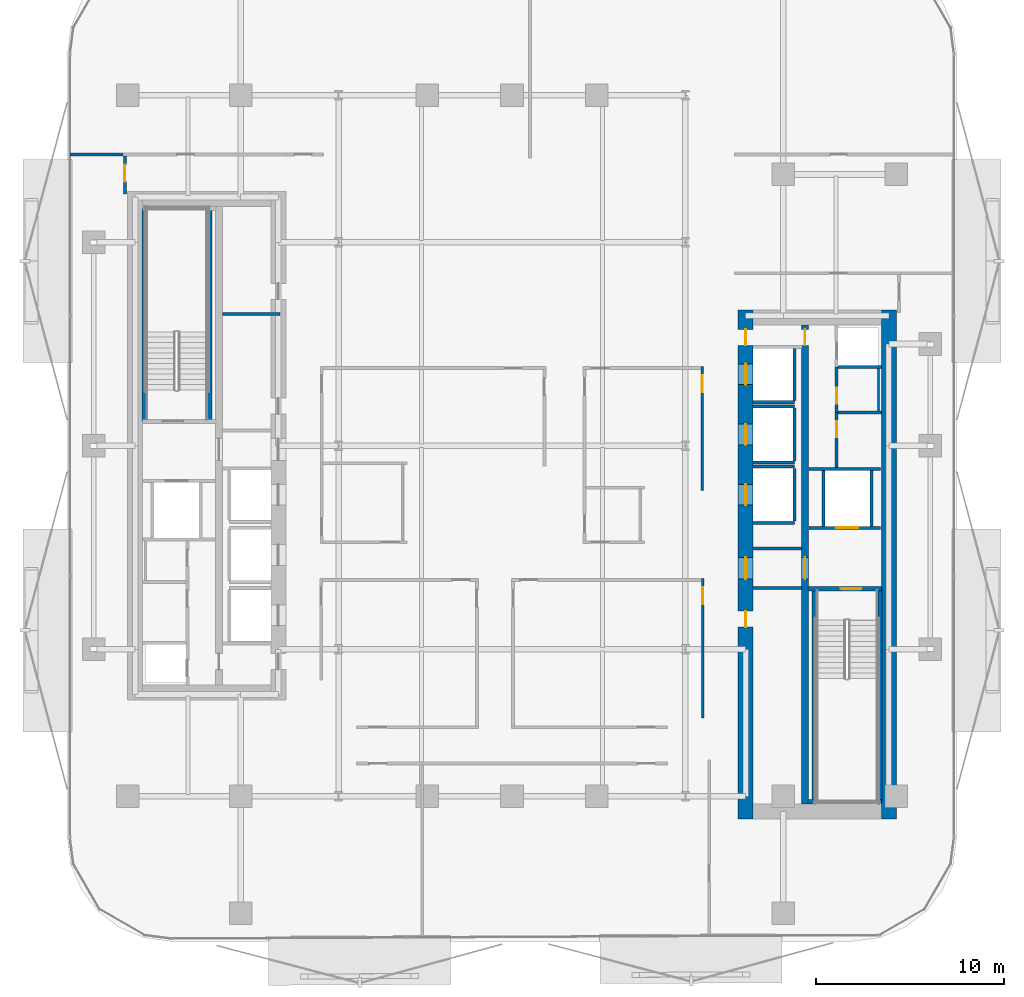
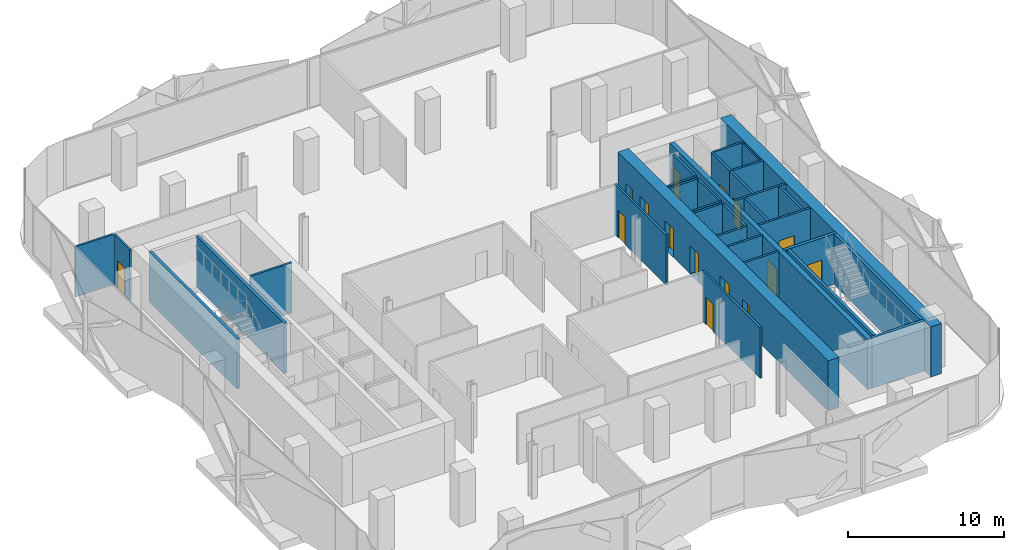
# One storey, part 5 of 15: 33 walls, 15 doors, 15 openings.
"""IFC4 building model written with IfcOpenShell, lengths in metres."""

from ifc_helpers import new_model, si_unit, direction, frame, frame_2d, origin, place, context, subcontext, project, spatial, rectangle, extrude, material, layer, layer_set, type_object, element, fill, save


model = new_model("IFC4")

# Units and contexts
model_context = context("Model", 3, precision=1e-05, world=origin(), true_north=direction((0.0, 1.0)))
body_context = subcontext(model_context, "Body", "Model", "MODEL_VIEW")
ifc_project = project(units=[si_unit("LENGTHUNIT", "METRE"), si_unit("AREAUNIT", "SQUARE_METRE"), si_unit("VOLUMEUNIT", "CUBIC_METRE"), si_unit("PLANEANGLEUNIT", "RADIAN"), si_unit("MASSUNIT", "GRAM", prefix="KILO")], contexts=[model_context])

# Site, building, storey
site_placement = place(None, origin())
site = spatial("IfcSite", under=ifc_project, at=site_placement, CompositionType="ELEMENT")
building_placement = place(site_placement, origin())
building = spatial("IfcBuilding", under=site, at=building_placement, Name="Khairoan Windgate Tower", CompositionType="ELEMENT")
storey_placement = place(building_placement, frame((0.0, 0.0, 110.0)))
storey = spatial("IfcBuildingStorey", under=building, at=storey_placement, Name="L25", CompositionType="ELEMENT", Elevation=110.0)

# Walls
ifc_material_1 = material(Name="Moisture-Resistant Gypsum Partition", Category="gypsum")
ifc_layer_1 = layer(ifc_material_1, 0.10009765625, Name="Moisture-Resistant Gypsum Partition")
ifc_layer_set_1 = layer_set([ifc_layer_1], Name="Moisture-Resistant Gypsum Partition")
wall_type_1 = type_object("IfcWallType", Name="Bathroom Wet-Area Partition Wall", PredefinedType="PARTITIONING", material=ifc_layer_set_1)
wall_1_placement = place(storey_placement, frame((19.449951171875, 4.090087890625, 0.0), z_axis=(0.0, 0.0, 1.0), x_axis=(0.0, -1.0, 0.0)))
element("IfcWall", 1, at=wall_1_placement, inside=storey, type_object=wall_type_1, Name="L25 Wet Room Side Wall 046", PredefinedType="PARTITIONING", context=body_context, shape_type="SweptSolid", body=[
    extrude(rectangle(XDim=2.239990234375, YDim=0.10009765625, at=frame_2d((1.1201171875, 0.0))), origin(), (0.0, 0.0, 1.0), 3.93994140625),
])
ifc_material_2 = material(Name="Concrete C40/50", Category="concrete")
ifc_layer_2 = layer(ifc_material_2, 0.159912109375, Name="Concrete C40/50")
ifc_layer_set_2 = layer_set([ifc_layer_2], Name="Concrete C40/50")
wall_type_2 = type_object("IfcWallType", Name="Core and Hoistway Enclosure Wall", PredefinedType="STANDARD", material=ifc_layer_set_2)
wall_2_placement = place(storey_placement, frame((12.800048828125, 2.31005859375, 0.0), z_axis=(0.0, 0.0, 1.0), x_axis=(1.0, 0.0, 0.0)))
element("IfcWall", 2, at=wall_2_placement, inside=storey, type_object=wall_type_2, Name="L25 Lift PL7 Hoistway Divider S", PredefinedType="STANDARD", context=body_context, shape_type="SweptSolid", body=[
    extrude(rectangle(XDim=2.18994140625, YDim=0.159912109375, at=frame_2d((1.094970703125, 0.0))), origin(), (0.0, 0.0, 1.0), 3.93994140625),
])
wall_3_placement = place(storey_placement, frame((14.989990234375, 2.39990234375, 0.0), z_axis=(0.0, 0.0, 1.0), x_axis=(0.0, 1.0, 0.0)))
element("IfcWall", 3, at=wall_3_placement, inside=storey, type_object=wall_type_2, Name="L25 Lift PL7 Hoistway Back Wall", PredefinedType="STANDARD", context=body_context, shape_type="SweptSolid", body=[
    extrude(rectangle(XDim=2.800048828125, YDim=0.159912109375, at=frame_2d((1.39990234375, 0.0))), origin(), (0.0, 0.0, 1.0), 3.93994140625),
])
for number, where, z_axis, x_axis, name in (
    (4, (12.800048828125, -0.889892578125, 0.0), (0.0, 0.0, 1.0), (1.0, 0.0, 0.0), "L25 Lift PL8 Hoistway Divider S"),
    (5, (12.800048828125, 2.090087890625, 0.0), (0.0, 0.0, 1.0), (1.0, 0.0, 0.0), "L25 Lift PL8 Hoistway Divider N"),
):
    element("IfcWall", number, at=place(storey_placement, frame(where, z_axis=z_axis, x_axis=x_axis)), inside=storey, type_object=wall_type_2, Name=name, PredefinedType="STANDARD", context=body_context, shape_type="SweptSolid", body=[
        extrude(rectangle(XDim=2.18994140625, YDim=0.159912109375, at=frame_2d((1.094970703125, 0.0))), origin(), (0.0, 0.0, 1.0), 3.93994140625),
    ])
wall_4_placement = place(storey_placement, frame((14.989990234375, -0.800048828125, 0.0), z_axis=(0.0, 0.0, 1.0), x_axis=(0.0, 1.0, 0.0)))
element("IfcWall", 6, at=wall_4_placement, inside=storey, type_object=wall_type_2, Name="L25 Lift PL8 Hoistway Back Wall", PredefinedType="STANDARD", context=body_context, shape_type="SweptSolid", body=[
    extrude(rectangle(XDim=2.800048828125, YDim=0.159912109375, at=frame_2d((1.39990234375, 0.0))), origin(), (0.0, 0.0, 1.0), 3.93994140625),
])
for number, where, z_axis, x_axis, name in (
    (7, (12.800048828125, -4.090087890625, 0.0), (0.0, 0.0, 1.0), (1.0, 0.0, 0.0), "L25 Lift PL9 Hoistway Divider S"),
    (8, (12.800048828125, -1.110107421875, 0.0), (0.0, 0.0, 1.0), (1.0, 0.0, 0.0), "L25 Lift PL9 Hoistway Divider N"),
):
    element("IfcWall", number, at=place(storey_placement, frame(where, z_axis=z_axis, x_axis=x_axis)), inside=storey, type_object=wall_type_2, Name=name, PredefinedType="STANDARD", context=body_context, shape_type="SweptSolid", body=[
        extrude(rectangle(XDim=2.18994140625, YDim=0.159912109375, at=frame_2d((1.094970703125, 0.0))), origin(), (0.0, 0.0, 1.0), 3.93994140625),
    ])
wall_5_placement = place(storey_placement, frame((14.989990234375, -4.0, 0.0), z_axis=(0.0, 0.0, 1.0), x_axis=(0.0, 1.0, 0.0)))
element("IfcWall", 9, at=wall_5_placement, inside=storey, type_object=wall_type_2, Name="L25 Lift PL9 Hoistway Back Wall", PredefinedType="STANDARD", context=body_context, shape_type="SweptSolid", body=[
    extrude(rectangle(XDim=2.800048828125, YDim=0.159912109375, at=frame_2d((1.39990234375, 0.0))), origin(), (0.0, 0.0, 1.0), 3.93994140625),
])

# Wall, opening, door
wall_6_placement = place(storey_placement, frame((15.75, -4.360107421875, 0.0), z_axis=(0.0, 0.0, 1.0), x_axis=(1.0, 0.0, 0.0)))
wall_6 = element("IfcWall", 10, at=wall_6_placement, inside=storey, type_object=wall_type_2, Name="L25 Core Shaft Wall SW-FL1-L25", PredefinedType="STANDARD", context=body_context, shape_type="SweptSolid", body=[
    extrude(rectangle(XDim=3.800048828125, YDim=0.159912109375, at=frame_2d((1.89990234375, 0.0))), origin(), (0.0, 0.0, 1.0), 3.93994140625),
])
opening_1_placement = place(wall_6_placement, frame((1.469970703125, 0.0, 0.0)))
opening_1 = element("IfcOpeningElement", 11, at=opening_1_placement, cuts=wall_6, Name="Opening LD-FL", PredefinedType="OPENING", context=body_context, shape_type="SweptSolid", body=[
    extrude(rectangle(XDim=1.14990234375, YDim=2.199951171875, at=frame_2d((0.574951171875, 1.10009765625))), frame((0.0, 0.08984375, 0.0), z_axis=(0.0, -1.0, 0.0), x_axis=(1.0, 0.0, 0.0)), (0.0, 0.0, 1.0), 0.179931640625),
])
ifc_material_3 = material(Name="Steel S355", Category="steel")
door_type_1 = type_object("IfcDoorType", Name="Firefighting Lift Sliding Landing Door LD-FL 1150x2200", OperationType="DOUBLE_DOOR_SLIDING", PredefinedType="DOOR", material=ifc_material_3)
door_1_placement = place(opening_1_placement, origin())
door_1 = element("IfcDoor", 12, at=door_1_placement, inside=storey, type_object=door_type_1, Name="L25 Firefighting Lift FL1 Landing Door", OperationType="DOUBLE_DOOR_SLIDING", OverallHeight=2.199951171875, OverallWidth=1.14990234375, PredefinedType="DOOR", context=body_context, shape_type="SweptSolid", body=[
    extrude(rectangle(XDim=1.14990234375, YDim=2.199951171875, at=frame_2d((0.574951171875, 1.10009765625))), frame((0.0, 0.02490234375, 0.0), z_axis=(0.0, -1.0, 0.0), x_axis=(1.0, 0.0, 0.0)), (0.0, 0.0, 1.0), 0.050048828125),
])
fill(opening_1, door_1)

# Walls
wall_7_placement = place(storey_placement, frame((15.75, -1.219970703125, 0.0), z_axis=(0.0, 0.0, 1.0), x_axis=(1.0, 0.0, 0.0)))
element("IfcWall", 13, at=wall_7_placement, inside=storey, type_object=wall_type_2, Name="L25 Core Shaft Wall SW-FL1T-L25", PredefinedType="STANDARD", context=body_context, shape_type="SweptSolid", body=[
    extrude(rectangle(XDim=3.800048828125, YDim=0.159912109375, at=frame_2d((1.89990234375, 0.0))), origin(), (0.0, 0.0, 1.0), 3.93994140625),
])
for number, where, z_axis, x_axis, name in (
    (14, (16.52001953125, -4.280029296875, 0.0), (0.0, 0.0, 1.0), (0.0, 1.0, 0.0), "L25 Core Shaft Wall SW-FL1W-L25"),
    (15, (19.080078125, -4.280029296875, 0.0), (0.0, 0.0, 1.0), (0.0, 1.0, 0.0), "L25 Core Shaft Wall SW-FL1E-L25"),
):
    element("IfcWall", number, at=place(storey_placement, frame(where, z_axis=z_axis, x_axis=x_axis)), inside=storey, type_object=wall_type_2, Name=name, PredefinedType="STANDARD", context=body_context, shape_type="SweptSolid", body=[
        extrude(rectangle(XDim=2.97998046875, YDim=0.159912109375, at=frame_2d((1.489990234375, 0.0))), origin(), (0.0, 0.0, 1.0), 3.93994140625),
    ])
for number, where, z_axis, x_axis, name in (
    (16, (12.800048828125, -5.449951171875, 0.0), (0.0, 0.0, 1.0), (1.0, 0.0, 0.0), "L25 Core Shaft Wall SW-EV1-L25"),
    (17, (12.800048828125, -7.5400390625, 0.0), (0.0, 0.0, 1.0), (1.0, 0.0, 0.0), "L25 Core Shaft Wall SW-EV2-L25"),
):
    element("IfcWall", number, at=place(storey_placement, frame(where, z_axis=z_axis, x_axis=x_axis)), inside=storey, type_object=wall_type_2, Name=name, PredefinedType="STANDARD", context=body_context, shape_type="SweptSolid", body=[
        extrude(rectangle(XDim=2.599853515625, YDim=0.159912109375, at=frame_2d((1.2998046875, 0.0))), origin(), (0.0, 0.0, 1.0), 3.93994140625),
    ])
ifc_material_4 = material(Name="Acoustic Fire-Rated Gypsum Partition", Category="gypsum")
ifc_layer_3 = layer(ifc_material_4, 0.139892578125, Name="Acoustic Fire-Rated Gypsum Partition")
ifc_layer_set_3 = layer_set([ifc_layer_3], Name="Acoustic Fire-Rated Gypsum Partition")
wall_type_3 = type_object("IfcWallType", Name="Inter-Tenancy Compartment Wall", PredefinedType="PARTITIONING", material=ifc_layer_set_3)
wall_8_placement = place(storey_placement, frame((-23.455078125, 15.4599609375, 0.0), z_axis=(0.0, 0.0, 1.0), x_axis=(1.0, 0.0, 0.0)))
element("IfcWall", 18, at=wall_8_placement, inside=storey, type_object=wall_type_3, Name="L25 Interior Partition 037", PredefinedType="PARTITIONING", context=body_context, shape_type="SweptSolid", body=[
    extrude(rectangle(XDim=2.815185546875, YDim=0.139892578125, at=frame_2d((1.40771484375, 0.0))), origin(), (0.0, 0.0, 1.0), 3.93994140625),
])
ifc_material_5 = material(Name="Concrete C40/50", Category="concrete")
ifc_layer_4 = layer(ifc_material_5, 0.159912109375, Name="Concrete C40/50")
ifc_layer_set_4 = layer_set([ifc_layer_4], Name="Concrete C40/50")
wall_type_4 = type_object("IfcWallType", Name="Plant and Refuge Compartment Wall", PredefinedType="PARTITIONING", material=ifc_layer_set_4)
wall_9_placement = place(storey_placement, frame((-15.375, 7.0, 0.0), z_axis=(0.0, 0.0, 1.0), x_axis=(1.0, 0.0, 0.0)))
element("IfcWall", 19, at=wall_9_placement, inside=storey, type_object=wall_type_4, Name="L25 Interior Partition 006", PredefinedType="PARTITIONING", context=body_context, shape_type="SweptSolid", body=[
    extrude(rectangle(XDim=3.06494140625, YDim=0.159912109375, at=frame_2d((1.532470703125, 0.0))), origin(), (0.0, 0.0, 1.0), 3.93994140625),
])

# Wall, opening, door
wall_10_placement = place(storey_placement, frame((17.22998046875, 1.77001953125, 0.0), z_axis=(0.0, 0.0, 1.0), x_axis=(0.0, 1.0, 0.0)))
wall_10 = element("IfcWall", 20, at=wall_10_placement, inside=storey, type_object=wall_type_4, Name="L25 Interior Partition 008", PredefinedType="PARTITIONING", context=body_context, shape_type="SweptSolid", body=[
    extrude(rectangle(XDim=2.39990234375, YDim=0.159912109375, at=frame_2d((1.199951171875, 0.0))), origin(), (0.0, 0.0, 1.0), 3.93994140625),
])
opening_2_placement = place(wall_10_placement, frame((0.4599609375, 0.0, 0.0)))
opening_2 = element("IfcOpeningElement", 21, at=opening_2_placement, cuts=wall_10, Name="Opening FD-SRV", PredefinedType="OPENING", context=body_context, shape_type="SweptSolid", body=[
    extrude(rectangle(XDim=0.85009765625, YDim=2.10009765625, at=frame_2d((0.425048828125, 1.050048828125))), frame((0.0, 0.08984375, 0.0), z_axis=(0.0, -1.0, 0.0), x_axis=(1.0, 0.0, 0.0)), (0.0, 0.0, 1.0), 0.179931640625),
])
ifc_material_6 = material(Name="Steel S355", Category="steel")
door_type_2 = type_object("IfcDoorType", Name="Core Service and Riser Fire Door FD-SRV 850x2100", OperationType="NOTDEFINED", PredefinedType="DOOR", material=ifc_material_6)
door_2_placement = place(opening_2_placement, origin())
door_2 = element("IfcDoor", 22, at=door_2_placement, inside=storey, type_object=door_type_2, Name="L25 L25-18-L25-20 Door", OperationType="SINGLE_SWING_RIGHT", OverallHeight=2.10009765625, OverallWidth=0.85009765625, PredefinedType="DOOR", context=body_context, shape_type="SweptSolid", body=[
    extrude(rectangle(XDim=0.85009765625, YDim=2.10009765625, at=frame_2d((0.425048828125, 1.050048828125))), frame((0.0, 0.02490234375, 0.0), z_axis=(0.0, -1.0, 0.0), x_axis=(1.0, 0.0, 0.0)), (0.0, 0.0, 1.0), 0.050048828125),
])
fill(opening_2, door_2)

wall_11_placement = place(storey_placement, frame((17.22998046875, -1.139892578125, 0.0), z_axis=(0.0, 0.0, 1.0), x_axis=(0.0, 1.0, 0.0)))
wall_11 = element("IfcWall", 23, at=wall_11_placement, inside=storey, type_object=wall_type_4, Name="L25 Interior Partition 009", PredefinedType="PARTITIONING", context=body_context, shape_type="SweptSolid", body=[
    extrude(rectangle(XDim=2.909912109375, YDim=0.159912109375, at=frame_2d((1.455078125, 0.0))), origin(), (0.0, 0.0, 1.0), 3.93994140625),
])
opening_3_placement = place(wall_11_placement, frame((1.60009765625, 0.0, 0.0)))
opening_3 = element("IfcOpeningElement", 24, at=opening_3_placement, cuts=wall_11, Name="Opening FD-SRV", PredefinedType="OPENING", context=body_context, shape_type="SweptSolid", body=[
    extrude(rectangle(XDim=0.85009765625, YDim=2.10009765625, at=frame_2d((0.425048828125, 1.050048828125))), frame((0.0, 0.08984375, 0.0), z_axis=(0.0, -1.0, 0.0), x_axis=(1.0, 0.0, 0.0)), (0.0, 0.0, 1.0), 0.179931640625),
])
door_3_placement = place(opening_3_placement, origin())
door_3 = element("IfcDoor", 25, at=door_3_placement, inside=storey, type_object=door_type_2, Name="L25 L25-18-L25-21 Door", OperationType="SINGLE_SWING_LEFT", OverallHeight=2.10009765625, OverallWidth=0.85009765625, PredefinedType="DOOR", context=body_context, shape_type="SweptSolid", body=[
    extrude(rectangle(XDim=0.85009765625, YDim=2.10009765625, at=frame_2d((0.425048828125, 1.050048828125))), frame((0.0, 0.02490234375, 0.0), z_axis=(0.0, -1.0, 0.0), x_axis=(1.0, 0.0, 0.0)), (0.0, 0.0, 1.0), 0.050048828125),
])
fill(opening_3, door_3)

# Walls
for number, where, z_axis, x_axis, name in (
    (26, (17.31005859375, 4.169921875, 0.0), (0.0, 0.0, 1.0), (1.0, 0.0, 0.0), "L25 Interior Partition 010"),
    (27, (17.31005859375, 1.77001953125, 0.0), (0.0, 0.0, 1.0), (1.0, 0.0, 0.0), "L25 Interior Partition 011"),
):
    element("IfcWall", number, at=place(storey_placement, frame(where, z_axis=z_axis, x_axis=x_axis)), inside=storey, type_object=wall_type_4, Name=name, PredefinedType="PARTITIONING", context=body_context, shape_type="SweptSolid", body=[
        extrude(rectangle(XDim=2.2900390625, YDim=0.159912109375, at=frame_2d((1.14501953125, 0.0))), origin(), (0.0, 0.0, 1.0), 3.93994140625),
    ])

# Wall, opening, door
ifc_material_7 = material(Name="Acoustic Fire-Rated Gypsum Partition", Category="gypsum")
ifc_layer_5 = layer(ifc_material_7, 0.14990234375, Name="Acoustic Fire-Rated Gypsum Partition")
ifc_layer_set_5 = layer_set([ifc_layer_5], Name="Acoustic Fire-Rated Gypsum Partition")
wall_type_5 = type_object("IfcWallType", Name="Rated Corridor Partition Wall", PredefinedType="PARTITIONING", material=ifc_layer_set_5)
wall_12_placement = place(storey_placement, frame((10.10009765625, -2.3798828125, 0.0), z_axis=(0.0, 0.0, 1.0), x_axis=(0.0, 1.0, 0.0)))
wall_12 = element("IfcWall", 28, at=wall_12_placement, inside=storey, type_object=wall_type_5, Name="L25 Interior Partition 016", PredefinedType="PARTITIONING", context=body_context, shape_type="SweptSolid", body=[
    extrude(rectangle(XDim=6.574951171875, YDim=0.14990234375, at=frame_2d((3.28759765625, 0.0))), origin(), (0.0, 0.0, 1.0), 3.93994140625),
])
opening_4_placement = place(wall_12_placement, frame((5.215087890625, 0.0, 0.0)))
opening_4 = element("IfcOpeningElement", 29, at=opening_4_placement, cuts=wall_12, Name="Opening FD-ENT", PredefinedType="OPENING", context=body_context, shape_type="SweptSolid", body=[
    extrude(rectangle(XDim=0.89990234375, YDim=2.14990234375, at=frame_2d((0.449951171875, 1.074951171875))), frame((0.0, 0.0849609375, 0.0), z_axis=(0.0, -1.0, 0.0), x_axis=(1.0, 0.0, 0.0)), (0.0, 0.0, 1.0), 0.169921875),
])
ifc_material_8 = material(Name="Timber Fire-Rated Core", Category="wood")
door_type_3 = type_object("IfcDoorType", Name="Unit and Office Fire Entrance Door FD-ENT 900x2150", OperationType="NOTDEFINED", PredefinedType="DOOR", material=ifc_material_8)
door_4_placement = place(opening_4_placement, origin())
door_4 = element("IfcDoor", 30, at=door_4_placement, inside=storey, type_object=door_type_3, Name="L25 L25-29-L25-46 Door", OperationType="SINGLE_SWING_RIGHT", OverallHeight=2.14990234375, OverallWidth=0.89990234375, PredefinedType="DOOR", context=body_context, shape_type="SweptSolid", body=[
    extrude(rectangle(XDim=0.89990234375, YDim=2.14990234375, at=frame_2d((0.449951171875, 1.074951171875))), frame((0.0, 0.02490234375, 0.0), z_axis=(0.0, -1.0, 0.0), x_axis=(1.0, 0.0, 0.0)), (0.0, 0.0, 1.0), 0.050048828125),
])
fill(opening_4, door_4)

wall_13_placement = place(storey_placement, frame((10.125, -14.43994140625, 0.0), z_axis=(0.0, 0.0, 1.0), x_axis=(0.0, 1.0, 0.0)))
wall_13 = element("IfcWall", 31, at=wall_13_placement, inside=storey, type_object=wall_type_5, Name="L25 Interior Partition 017", PredefinedType="PARTITIONING", context=body_context, shape_type="SweptSolid", body=[
    extrude(rectangle(XDim=7.39990234375, YDim=0.14990234375, at=frame_2d((3.699951171875, 0.0))), origin(), (0.0, 0.0, 1.0), 3.93994140625),
])
opening_5_placement = place(wall_13_placement, frame((6.0400390625, 0.0, 0.0)))
opening_5 = element("IfcOpeningElement", 32, at=opening_5_placement, cuts=wall_13, Name="Opening FD-ENT", PredefinedType="OPENING", context=body_context, shape_type="SweptSolid", body=[
    extrude(rectangle(XDim=0.89990234375, YDim=2.14990234375, at=frame_2d((0.449951171875, 1.074951171875))), frame((0.0, 0.0849609375, 0.0), z_axis=(0.0, -1.0, 0.0), x_axis=(1.0, 0.0, 0.0)), (0.0, 0.0, 1.0), 0.169921875),
])
door_5_placement = place(opening_5_placement, origin())
door_5 = element("IfcDoor", 33, at=door_5_placement, inside=storey, type_object=door_type_3, Name="L25 L25-29-L25-50 Door", OperationType="SINGLE_SWING_LEFT", OverallHeight=2.14990234375, OverallWidth=0.89990234375, PredefinedType="DOOR", context=body_context, shape_type="SweptSolid", body=[
    extrude(rectangle(XDim=0.89990234375, YDim=2.14990234375, at=frame_2d((0.449951171875, 1.074951171875))), frame((0.0, 0.02490234375, 0.0), z_axis=(0.0, -1.0, 0.0), x_axis=(1.0, 0.0, 0.0)), (0.0, 0.0, 1.0), 0.050048828125),
])
fill(opening_5, door_5)

wall_14_placement = place(storey_placement, frame((-20.5400390625, 13.360107421875, 0.0), z_axis=(0.0, 0.0, 1.0), x_axis=(0.0, 1.0, 0.0)))
wall_14 = element("IfcWall", 34, at=wall_14_placement, inside=storey, type_object=wall_type_5, Name="L25 Interior Partition 027", PredefinedType="PARTITIONING", context=body_context, shape_type="SweptSolid", body=[
    extrude(rectangle(XDim=2.02490234375, YDim=0.14990234375, at=frame_2d((1.012451171875, 0.0))), origin(), (0.0, 0.0, 1.0), 3.93994140625),
])
opening_6_placement = place(wall_14_placement, frame((0.6650390625, 0.0, 0.0)))
opening_6 = element("IfcOpeningElement", 35, at=opening_6_placement, cuts=wall_14, Name="Opening FD-ENT", PredefinedType="OPENING", context=body_context, shape_type="SweptSolid", body=[
    extrude(rectangle(XDim=0.89990234375, YDim=2.14990234375, at=frame_2d((0.449951171875, 1.074951171875))), frame((0.0, 0.0849609375, 0.0), z_axis=(0.0, -1.0, 0.0), x_axis=(1.0, 0.0, 0.0)), (0.0, 0.0, 1.0), 0.169921875),
])
door_6_placement = place(opening_6_placement, origin())
door_6 = element("IfcDoor", 36, at=door_6_placement, inside=storey, type_object=door_type_3, Name="L25 L25-33-L25-37 Door", OperationType="SINGLE_SWING_LEFT", OverallHeight=2.14990234375, OverallWidth=0.89990234375, PredefinedType="DOOR", context=body_context, shape_type="SweptSolid", body=[
    extrude(rectangle(XDim=0.89990234375, YDim=2.14990234375, at=frame_2d((0.449951171875, 1.074951171875))), frame((0.0, 0.02490234375, 0.0), z_axis=(0.0, -1.0, 0.0), x_axis=(1.0, 0.0, 0.0)), (0.0, 0.0, 1.0), 0.050048828125),
])
fill(opening_6, door_6)

# Wall, openings, doors
ifc_material_9 = material(Name="Concrete C70/85", Category="concrete")
ifc_layer_6 = layer(ifc_material_9, 0.800048828125, Name="Concrete C70/85")
ifc_layer_set_6 = layer_set([ifc_layer_6], Name="Concrete C70/85")
wall_type_6 = type_object("IfcWallType", Name="Shear Wall CW-E1 800mm", PredefinedType="SHEAR", material=ifc_layer_set_6)
wall_15_placement = place(storey_placement, frame((12.39990234375, -19.800048828125, 0.0), z_axis=(0.0, 0.0, 1.0), x_axis=(0.0, 1.0, 0.0)))
wall_15 = element("IfcWall", 37, at=wall_15_placement, inside=storey, type_object=wall_type_6, Name="E Core West Shear Wall L25", PredefinedType="SHEAR", context=body_context, shape_type="SweptSolid", body=[
    extrude(rectangle(XDim=27.0, YDim=0.800048828125, at=frame_2d((13.5, 0.0))), origin(), (0.0, 0.0, 1.0), 3.93994140625),
])
opening_7_placement = place(wall_15_placement, frame((23.050048828125, 0.0, 0.0)))
opening_7 = element("IfcOpeningElement", 38, at=opening_7_placement, cuts=wall_15, Name="Opening LD-PL", PredefinedType="OPENING", context=body_context, shape_type="SweptSolid", body=[
    extrude(rectangle(XDim=1.10009765625, YDim=2.199951171875, at=frame_2d((0.550048828125, 1.10009765625))), frame((0.0, 0.409912109375, 0.0), z_axis=(0.0, -1.0, 0.0), x_axis=(1.0, 0.0, 0.0)), (0.0, 0.0, 1.0), 0.820068359375),
])
opening_8_placement = place(wall_15_placement, frame((19.85009765625, 0.0, 0.0)))
opening_8 = element("IfcOpeningElement", 39, at=opening_8_placement, cuts=wall_15, Name="Opening LD-PL", PredefinedType="OPENING", context=body_context, shape_type="SweptSolid", body=[
    extrude(rectangle(XDim=1.10009765625, YDim=2.199951171875, at=frame_2d((0.550048828125, 1.10009765625))), frame((0.0, 0.409912109375, 0.0), z_axis=(0.0, -1.0, 0.0), x_axis=(1.0, 0.0, 0.0)), (0.0, 0.0, 1.0), 0.820068359375),
])
opening_9_placement = place(wall_15_placement, frame((16.64990234375, 0.0, 0.0)))
opening_9 = element("IfcOpeningElement", 40, at=opening_9_placement, cuts=wall_15, Name="Opening LD-PL", PredefinedType="OPENING", context=body_context, shape_type="SweptSolid", body=[
    extrude(rectangle(XDim=1.10009765625, YDim=2.199951171875, at=frame_2d((0.550048828125, 1.10009765625))), frame((0.0, 0.409912109375, 0.0), z_axis=(0.0, -1.0, 0.0), x_axis=(1.0, 0.0, 0.0)), (0.0, 0.0, 1.0), 0.820068359375),
])
opening_10_placement = place(wall_15_placement, frame((10.175048828125, 0.0, 0.0)))
opening_10 = element("IfcOpeningElement", 41, at=opening_10_placement, cuts=wall_15, Name="Opening FD-SRV", PredefinedType="OPENING", context=body_context, shape_type="SweptSolid", body=[
    extrude(rectangle(XDim=0.85009765625, YDim=2.10009765625, at=frame_2d((0.425048828125, 1.050048828125))), frame((0.0, 0.409912109375, 0.0), z_axis=(0.0, -1.0, 0.0), x_axis=(1.0, 0.0, 0.0)), (0.0, 0.0, 1.0), 0.820068359375),
])
opening_11_placement = place(wall_15_placement, frame((12.72509765625, 0.0, 0.0)))
opening_11 = element("IfcOpeningElement", 42, at=opening_11_placement, cuts=wall_15, Name="Opening FD-FFL", PredefinedType="OPENING", context=body_context, shape_type="SweptSolid", body=[
    extrude(rectangle(XDim=1.14990234375, YDim=2.199951171875, at=frame_2d((0.574951171875, 1.10009765625))), frame((0.0, 0.409912109375, 0.0), z_axis=(0.0, -1.0, 0.0), x_axis=(1.0, 0.0, 0.0)), (0.0, 0.0, 1.0), 0.820068359375),
])
opening_12_placement = place(wall_15_placement, frame((25.125, 0.0, 0.0)))
opening_12 = element("IfcOpeningElement", 43, at=opening_12_placement, cuts=wall_15, Name="Opening FD-SRV", PredefinedType="OPENING", context=body_context, shape_type="SweptSolid", body=[
    extrude(rectangle(XDim=0.85009765625, YDim=2.10009765625, at=frame_2d((0.425048828125, 1.050048828125))), frame((0.0, 0.409912109375, 0.0), z_axis=(0.0, -1.0, 0.0), x_axis=(1.0, 0.0, 0.0)), (0.0, 0.0, 1.0), 0.820068359375),
])
door_7_placement = place(opening_10_placement, origin())
door_7 = element("IfcDoor", 44, at=door_7_placement, inside=storey, type_object=door_type_2, Name="L25 East Core Service Room Door 1", OperationType="SINGLE_SWING_LEFT", OverallHeight=2.10009765625, OverallWidth=0.85009765625, PredefinedType="DOOR", context=body_context, shape_type="SweptSolid", body=[
    extrude(rectangle(XDim=0.85009765625, YDim=2.10009765625, at=frame_2d((0.425048828125, 1.050048828125))), frame((0.0, 0.02490234375, 0.0), z_axis=(0.0, -1.0, 0.0), x_axis=(1.0, 0.0, 0.0)), (0.0, 0.0, 1.0), 0.050048828125),
])
fill(opening_10, door_7)
door_8_placement = place(opening_12_placement, origin())
door_8 = element("IfcDoor", 45, at=door_8_placement, inside=storey, type_object=door_type_2, Name="L25 East Core Service Vestibule Outer Door", OperationType="SINGLE_SWING_RIGHT", OverallHeight=2.10009765625, OverallWidth=0.85009765625, PredefinedType="DOOR", context=body_context, shape_type="SweptSolid", body=[
    extrude(rectangle(XDim=0.85009765625, YDim=2.10009765625, at=frame_2d((0.425048828125, 1.050048828125))), frame((0.0, 0.02490234375, 0.0), z_axis=(0.0, -1.0, 0.0), x_axis=(1.0, 0.0, 0.0)), (0.0, 0.0, 1.0), 0.050048828125),
])
fill(opening_12, door_8)
ifc_material_10 = material(Name="Steel S355", Category="steel")
door_type_4 = type_object("IfcDoorType", Name="Firefighting Lobby Fire Door FD-FFL 1150x2200", OperationType="NOTDEFINED", PredefinedType="DOOR", material=ifc_material_10)
door_9_placement = place(opening_11_placement, origin())
door_9 = element("IfcDoor", 46, at=door_9_placement, inside=storey, type_object=door_type_4, Name="L25 East Core Vestibule Entry Door", OperationType="SINGLE_SWING_RIGHT", OverallHeight=2.199951171875, OverallWidth=1.14990234375, PredefinedType="DOOR", context=body_context, shape_type="SweptSolid", body=[
    extrude(rectangle(XDim=1.14990234375, YDim=2.199951171875, at=frame_2d((0.574951171875, 1.10009765625))), frame((0.0, 0.02490234375, 0.0), z_axis=(0.0, -1.0, 0.0), x_axis=(1.0, 0.0, 0.0)), (0.0, 0.0, 1.0), 0.050048828125),
])
fill(opening_11, door_9)
ifc_material_11 = material(Name="Anodised Bronze Aluminium 6063-T6", Category="aluminium")
door_type_5 = type_object("IfcDoorType", Name="Passenger Lift Sliding Landing Door LD-PL 1100x2200", OperationType="DOUBLE_DOOR_SLIDING", PredefinedType="DOOR", material=ifc_material_11)
door_10_placement = place(opening_7_placement, origin())
door_10 = element("IfcDoor", 47, at=door_10_placement, inside=storey, type_object=door_type_5, Name="L25 Lift PL7 Sliding Landing Door", OperationType="DOUBLE_DOOR_SLIDING", OverallHeight=2.199951171875, OverallWidth=1.10009765625, PredefinedType="DOOR", context=body_context, shape_type="SweptSolid", body=[
    extrude(rectangle(XDim=1.10009765625, YDim=2.199951171875, at=frame_2d((0.550048828125, 1.10009765625))), frame((0.0, 0.02490234375, 0.0), z_axis=(0.0, -1.0, 0.0), x_axis=(1.0, 0.0, 0.0)), (0.0, 0.0, 1.0), 0.050048828125),
])
fill(opening_7, door_10)
door_11_placement = place(opening_8_placement, origin())
door_11 = element("IfcDoor", 48, at=door_11_placement, inside=storey, type_object=door_type_5, Name="L25 Lift PL8 Sliding Landing Door", OperationType="DOUBLE_DOOR_SLIDING", OverallHeight=2.199951171875, OverallWidth=1.10009765625, PredefinedType="DOOR", context=body_context, shape_type="SweptSolid", body=[
    extrude(rectangle(XDim=1.10009765625, YDim=2.199951171875, at=frame_2d((0.550048828125, 1.10009765625))), frame((0.0, 0.02490234375, 0.0), z_axis=(0.0, -1.0, 0.0), x_axis=(1.0, 0.0, 0.0)), (0.0, 0.0, 1.0), 0.050048828125),
])
fill(opening_8, door_11)
door_12_placement = place(opening_9_placement, origin())
door_12 = element("IfcDoor", 49, at=door_12_placement, inside=storey, type_object=door_type_5, Name="L25 Lift PL9 Sliding Landing Door", OperationType="DOUBLE_DOOR_SLIDING", OverallHeight=2.199951171875, OverallWidth=1.10009765625, PredefinedType="DOOR", context=body_context, shape_type="SweptSolid", body=[
    extrude(rectangle(XDim=1.10009765625, YDim=2.199951171875, at=frame_2d((0.550048828125, 1.10009765625))), frame((0.0, 0.02490234375, 0.0), z_axis=(0.0, -1.0, 0.0), x_axis=(1.0, 0.0, 0.0)), (0.0, 0.0, 1.0), 0.050048828125),
])
fill(opening_9, door_12)

# Wall
wall_16_placement = place(storey_placement, frame((20.0, -19.800048828125, 0.0), z_axis=(0.0, 0.0, 1.0), x_axis=(0.0, 1.0, 0.0)))
element("IfcWall", 50, at=wall_16_placement, inside=storey, type_object=wall_type_6, Name="E Core East Shear Wall L25", PredefinedType="SHEAR", context=body_context, shape_type="SweptSolid", body=[
    extrude(rectangle(XDim=27.0, YDim=0.800048828125, at=frame_2d((13.5, 0.0))), origin(), (0.0, 0.0, 1.0), 3.93994140625),
])

# Wall, openings, doors
ifc_material_12 = material(Name="Concrete C60/75", Category="concrete")
ifc_layer_7 = layer(ifc_material_12, 0.35009765625, Name="Concrete C60/75")
ifc_layer_set_7 = layer_set([ifc_layer_7], Name="Concrete C60/75")
wall_type_7 = type_object("IfcWallType", Name="Shear Wall SW-1 350mm", PredefinedType="SHEAR", material=ifc_layer_set_7)
wall_17_placement = place(storey_placement, frame((15.550048828125, -19.0, 0.0), z_axis=(0.0, 0.0, 1.0), x_axis=(0.0, 1.0, 0.0)))
wall_17 = element("IfcWall", 51, at=wall_17_placement, inside=storey, type_object=wall_type_7, Name="E Core Spine Shear Wall L25", PredefinedType="SHEAR", context=body_context, shape_type="SweptSolid", body=[
    extrude(rectangle(XDim=25.39990234375, YDim=0.35009765625, at=frame_2d((12.699951171875, 0.0))), origin(), (0.0, 0.0, 1.0), 3.93994140625),
])
opening_13_placement = place(wall_17_placement, frame((11.925048828125, 0.0, 0.0)))
opening_13 = element("IfcOpeningElement", 52, at=opening_13_placement, cuts=wall_17, Name="Opening FD-FFL", PredefinedType="OPENING", context=body_context, shape_type="SweptSolid", body=[
    extrude(rectangle(XDim=1.14990234375, YDim=2.199951171875, at=frame_2d((0.574951171875, 1.10009765625))), frame((0.0, 0.18505859375, 0.0), z_axis=(0.0, -1.0, 0.0), x_axis=(1.0, 0.0, 0.0)), (0.0, 0.0, 1.0), 0.3701171875),
])
opening_14_placement = place(wall_17_placement, frame((24.324951171875, 0.0, 0.0)))
opening_14 = element("IfcOpeningElement", 53, at=opening_14_placement, cuts=wall_17, Name="Opening FD-SRV", PredefinedType="OPENING", context=body_context, shape_type="SweptSolid", body=[
    extrude(rectangle(XDim=0.85009765625, YDim=2.10009765625, at=frame_2d((0.425048828125, 1.050048828125))), frame((0.0, 0.18505859375, 0.0), z_axis=(0.0, -1.0, 0.0), x_axis=(1.0, 0.0, 0.0)), (0.0, 0.0, 1.0), 0.3701171875),
])
door_13_placement = place(opening_14_placement, origin())
door_13 = element("IfcDoor", 54, at=door_13_placement, inside=storey, type_object=door_type_2, Name="L25 East Core Service Passage Inner Door", OperationType="SINGLE_SWING_LEFT", OverallHeight=2.10009765625, OverallWidth=0.85009765625, PredefinedType="DOOR", context=body_context, shape_type="SweptSolid", body=[
    extrude(rectangle(XDim=0.85009765625, YDim=2.10009765625, at=frame_2d((0.425048828125, 1.050048828125))), frame((0.0, 0.02490234375, 0.0), z_axis=(0.0, -1.0, 0.0), x_axis=(1.0, 0.0, 0.0)), (0.0, 0.0, 1.0), 0.050048828125),
])
fill(opening_14, door_13)
door_14_placement = place(opening_13_placement, origin())
door_14 = element("IfcDoor", 55, at=door_14_placement, inside=storey, type_object=door_type_4, Name="L25 East Firefighting Lobby Fire Door", OperationType="SINGLE_SWING_LEFT", OverallHeight=2.199951171875, OverallWidth=1.14990234375, PredefinedType="DOOR", context=body_context, shape_type="SweptSolid", body=[
    extrude(rectangle(XDim=1.14990234375, YDim=2.199951171875, at=frame_2d((0.574951171875, 1.10009765625))), frame((0.0, 0.02490234375, 0.0), z_axis=(0.0, -1.0, 0.0), x_axis=(1.0, 0.0, 0.0)), (0.0, 0.0, 1.0), 0.050048828125),
])
fill(opening_13, door_14)

# Walls
ifc_material_13 = material(Name="Concrete C50/60", Category="concrete")
ifc_layer_8 = layer(ifc_material_13, 0.219970703125, Name="Concrete C50/60")
ifc_layer_set_8 = layer_set([ifc_layer_8], Name="Concrete C50/60")
wall_type_8 = type_object("IfcWallType", Name="Shear Wall SW-ST 220mm", PredefinedType="SHEAR", material=ifc_layer_set_8)
for number, where, z_axis, x_axis, name in (
    (56, (16.0400390625, -18.889892578125, 0.0), (0.0, 0.0, 1.0), (0.0, 1.0, 0.0), "L25 Stair ST1 West Bearing Wall"),
    (57, (19.530029296875, -18.889892578125, 0.0), (0.0, 0.0, 1.0), (0.0, 1.0, 0.0), "L25 Stair ST1 East Bearing Wall"),
):
    element("IfcWall", number, at=place(storey_placement, frame(where, z_axis=z_axis, x_axis=x_axis)), inside=storey, type_object=wall_type_8, Name=name, PredefinedType="SHEAR", context=body_context, shape_type="SweptSolid", body=[
        extrude(rectangle(XDim=11.2998046875, YDim=0.219970703125, at=frame_2d((5.64990234375, 0.0))), origin(), (0.0, 0.0, 1.0), 3.93994140625),
    ])
wall_18_placement = place(storey_placement, frame((15.705078125, -18.889892578125, 0.0), z_axis=(0.0, 0.0, 1.0), x_axis=(1.0, 0.0, 0.0)))
element("IfcWall", 58, at=wall_18_placement, inside=storey, type_object=wall_type_8, Name="L25 Stair ST1 South Bearing Wall", PredefinedType="SHEAR", context=body_context, shape_type="SweptSolid", body=[
    extrude(rectangle(XDim=3.9150390625, YDim=0.219970703125, at=frame_2d((1.95751953125, 0.0))), origin(), (0.0, 0.0, 1.0), 3.93994140625),
])

# Wall, opening, door
wall_19_placement = place(storey_placement, frame((19.6201171875, -7.590087890625, 0.0), z_axis=(0.0, 0.0, 1.0), x_axis=(-1.0, 0.0, 0.0)))
wall_19 = element("IfcWall", 59, at=wall_19_placement, inside=storey, type_object=wall_type_8, Name="L25 Stair ST1 North Bearing Wall", PredefinedType="SHEAR", context=body_context, shape_type="SweptSolid", body=[
    extrude(rectangle(XDim=3.9150390625, YDim=0.219970703125, at=frame_2d((1.95751953125, 0.0))), origin(), (0.0, 0.0, 1.0), 3.93994140625),
])
opening_15_placement = place(wall_19_placement, frame((1.080078125, 0.0, 0.0)))
opening_15 = element("IfcOpeningElement", 60, at=opening_15_placement, cuts=wall_19, Name="Opening FD-ST", PredefinedType="OPENING", context=body_context, shape_type="SweptSolid", body=[
    extrude(rectangle(XDim=1.10009765625, YDim=2.199951171875, at=frame_2d((0.550048828125, 1.10009765625))), frame((0.0, 0.119873046875, 0.0), z_axis=(0.0, -1.0, 0.0), x_axis=(1.0, 0.0, 0.0)), (0.0, 0.0, 1.0), 0.239990234375),
])
ifc_material_14 = material(Name="Steel S355", Category="steel")
door_type_6 = type_object("IfcDoorType", Name="Smokeproof Stair Fire Door FD-ST 1100x2200", OperationType="NOTDEFINED", PredefinedType="DOOR", material=ifc_material_14)
door_15_placement = place(opening_15_placement, origin())
door_15 = element("IfcDoor", 61, at=door_15_placement, inside=storey, type_object=door_type_6, Name="L25 Stair ST1 Fire Door", OperationType="SINGLE_SWING_LEFT", OverallHeight=2.199951171875, OverallWidth=1.10009765625, PredefinedType="DOOR", context=body_context, shape_type="SweptSolid", body=[
    extrude(rectangle(XDim=1.10009765625, YDim=2.199951171875, at=frame_2d((0.550048828125, 1.10009765625))), frame((0.0, 0.02490234375, 0.0), z_axis=(0.0, -1.0, 0.0), x_axis=(1.0, 0.0, 0.0)), (0.0, 0.0, 1.0), 0.050048828125),
])
fill(opening_15, door_15)

# Walls
for number, where, z_axis, x_axis, name in (
    (62, (-16.0400390625, 1.2900390625, 0.0), (0.0, 0.0, 1.0), (0.0, 1.0, 0.0), "L25 Stair ST2 East Bearing Wall"),
    (63, (-19.530029296875, 1.2900390625, 0.0), (0.0, 0.0, 1.0), (0.0, 1.0, 0.0), "L25 Stair ST2 West Bearing Wall"),
):
    element("IfcWall", number, at=place(storey_placement, frame(where, z_axis=z_axis, x_axis=x_axis)), inside=storey, type_object=wall_type_8, Name=name, PredefinedType="SHEAR", context=body_context, shape_type="SweptSolid", body=[
        extrude(rectangle(XDim=11.300048828125, YDim=0.219970703125, at=frame_2d((5.64990234375, 0.0))), origin(), (0.0, 0.0, 1.0), 3.93994140625),
    ])

save(model, "model.ifc")
